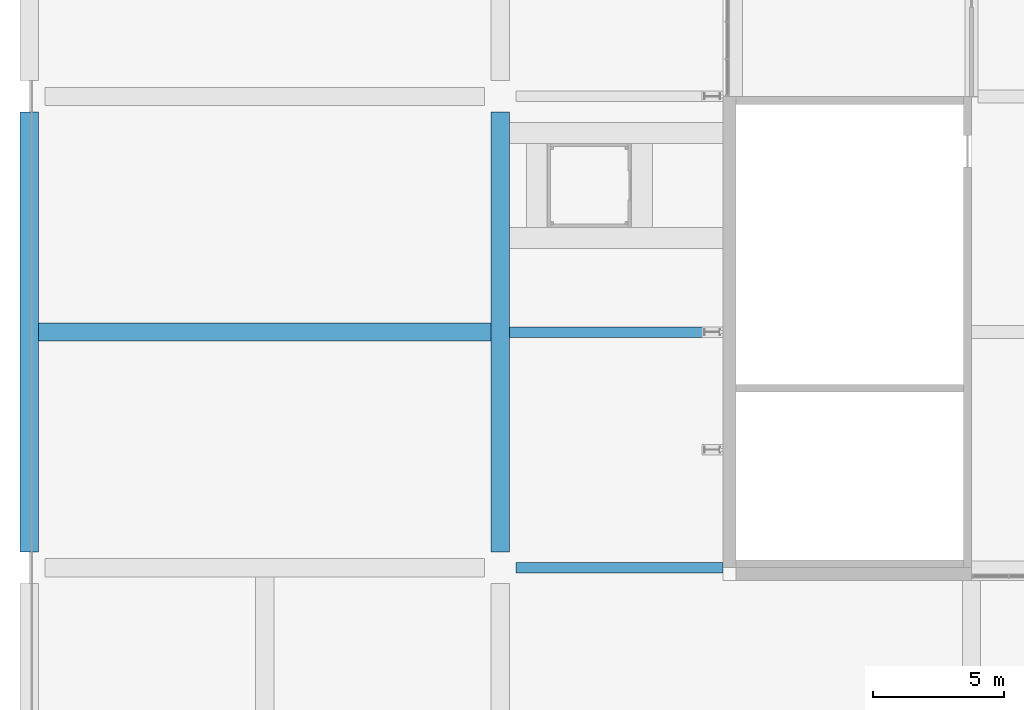
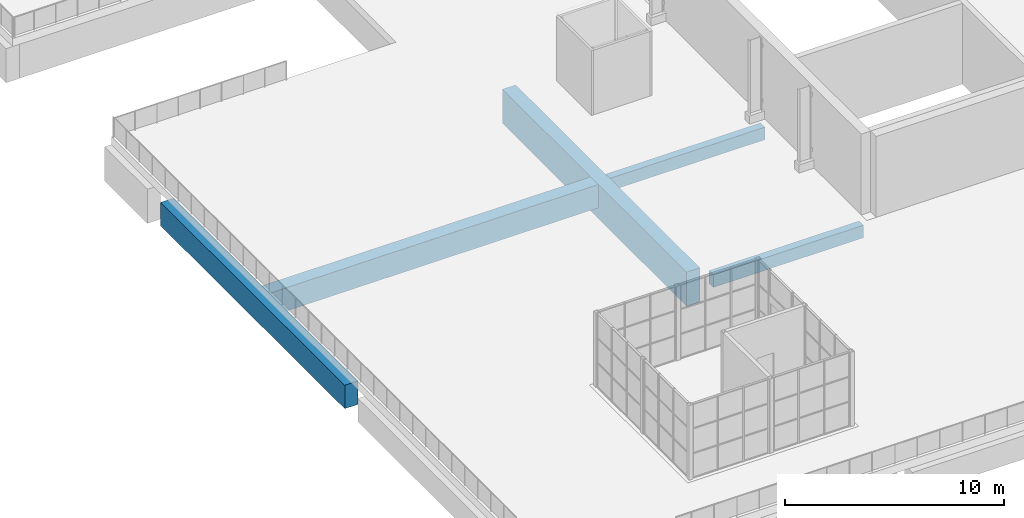
# One storey, part 16 of 168: 5 beams.
"""IFC4 building model written with IfcOpenShell, lengths in metres."""

from ifc_helpers import new_model, si_unit, direction, frame, origin, origin_2d, place, context, subcontext, project, spatial, rectangle, extrude, material, material_profile, profile_set, type_object, element, save


model = new_model("IFC4")

# Units and contexts
model_context = context("Model", 3, precision=1e-05, world=origin(), true_north=direction((0.0, 1.0)))
body_context = subcontext(model_context, "Body", "Model", "MODEL_VIEW")
ifc_project = project(units=[si_unit("LENGTHUNIT", "METRE"), si_unit("AREAUNIT", "SQUARE_METRE"), si_unit("VOLUMEUNIT", "CUBIC_METRE"), si_unit("PLANEANGLEUNIT", "RADIAN"), si_unit("MASSUNIT", "GRAM", prefix="KILO")], contexts=[model_context])

# Site, building, storey
site_placement = place(None, origin())
site = spatial("IfcSite", under=ifc_project, at=site_placement, CompositionType="ELEMENT")
building_placement = place(site_placement, origin())
building = spatial("IfcBuilding", under=site, at=building_placement, Name="Silverbay Arena", CompositionType="ELEMENT")
storey_placement = place(building_placement, frame((0.0, 0.0, 7.0)))
storey = spatial("IfcBuildingStorey", under=building, at=storey_placement, Name="L01", CompositionType="ELEMENT", Elevation=7.0)

# Beams
ifc_material_1 = material(Name="Concrete Grade C45", Category="concrete")
ifc_material_profile_1 = material_profile(ifc_material_1, rectangle(XDim=0.39990234375, YDim=0.699951171875, at=origin_2d()), Name="RC 400x700")
ifc_profile_set_1 = profile_set([ifc_material_profile_1], Name="Concrete Grade C45")
beam_type_1 = type_object("IfcBeamType", Name="RC beam 400x700", PredefinedType="BEAM", material=ifc_profile_set_1)
beam_1_placement = place(storey_placement, frame((18.60009765625, 18.0, -0.800048828125), z_axis=(1.0, 0.0, 0.0), x_axis=(0.0, 1.0, 0.0)))
element("IfcBeam", 1, at=beam_1_placement, inside=storey, type_object=beam_type_1, Name="Deck row beam 068", PredefinedType="BEAM", context=body_context, shape_type="SweptSolid", body=[
    extrude(rectangle(XDim=0.39990234375, YDim=0.699951171875, at=origin_2d()), origin(), (0.0, 0.0, 1.0), 7.89990234375),
])
beam_2_placement = place(storey_placement, frame((18.35009765625, 27.0, -0.800048828125), z_axis=(1.0, 0.0, 0.0), x_axis=(0.0, 1.0, 0.0)))
element("IfcBeam", 2, at=beam_2_placement, inside=storey, type_object=beam_type_1, Name="Deck row beam 070", PredefinedType="BEAM", context=body_context, shape_type="SweptSolid", body=[
    extrude(rectangle(XDim=0.39990234375, YDim=0.699951171875, at=origin_2d()), origin(), (0.0, 0.0, 1.0), 8.14990234375),
])
ifc_material_2 = material(Name="Concrete Grade C45", Category="concrete")
ifc_material_profile_2 = material_profile(ifc_material_2, rectangle(XDim=0.699951171875, YDim=1.300048828125, at=origin_2d()), Name="RC 700x1300")
ifc_profile_set_2 = profile_set([ifc_material_profile_2], Name="Concrete Grade C45")
beam_type_2 = type_object("IfcBeamType", Name="RC girder 700x1300", PredefinedType="BEAM", material=ifc_profile_set_2)
beam_3_placement = place(storey_placement, frame((0.35009765625, 27.0, -1.10009765625), z_axis=(1.0, 0.0, 0.0), x_axis=(0.0, 1.0, 0.0)))
element("IfcBeam", 3, at=beam_3_placement, inside=storey, type_object=beam_type_2, Name="Deck row beam 069", PredefinedType="BEAM", context=body_context, shape_type="SweptSolid", body=[
    extrude(rectangle(XDim=0.699951171875, YDim=1.300048828125, at=origin_2d()), origin(), (0.0, 0.0, 1.0), 17.2998046875),
])
beam_4_placement = place(storey_placement, frame((0.0, 18.60009765625, -1.10009765625), z_axis=(0.0, 1.0, 0.0), x_axis=(-1.0, 0.0, 0.0)))
element("IfcBeam", 4, at=beam_4_placement, inside=storey, type_object=beam_type_2, Name="Deck girder 139", PredefinedType="BEAM", context=body_context, shape_type="SweptSolid", body=[
    extrude(rectangle(XDim=0.699951171875, YDim=1.300048828125, at=origin_2d()), origin(), (0.0, 0.0, 1.0), 16.7998046875),
])
ifc_material_3 = material(Name="Concrete Grade C45", Category="concrete")
ifc_material_profile_3 = material_profile(ifc_material_3, rectangle(XDim=0.699951171875, YDim=1.89990234375, at=origin_2d()), Name="RC 700x1900")
ifc_profile_set_3 = profile_set([ifc_material_profile_3], Name="Concrete Grade C45")
beam_type_3 = type_object("IfcBeamType", Name="RC girder 700x1900", PredefinedType="BEAM", material=ifc_profile_set_3)
beam_5_placement = place(storey_placement, frame((18.0, 18.60009765625, -1.39990234375), z_axis=(0.0, 1.0, 0.0), x_axis=(-1.0, 0.0, 0.0)))
element("IfcBeam", 5, at=beam_5_placement, inside=storey, type_object=beam_type_3, Name="Deck girder 139", PredefinedType="BEAM", context=body_context, shape_type="SweptSolid", body=[
    extrude(rectangle(XDim=0.699951171875, YDim=1.89990234375, at=origin_2d()), origin(), (0.0, 0.0, 1.0), 16.7998046875),
])

save(model, "model.ifc")
